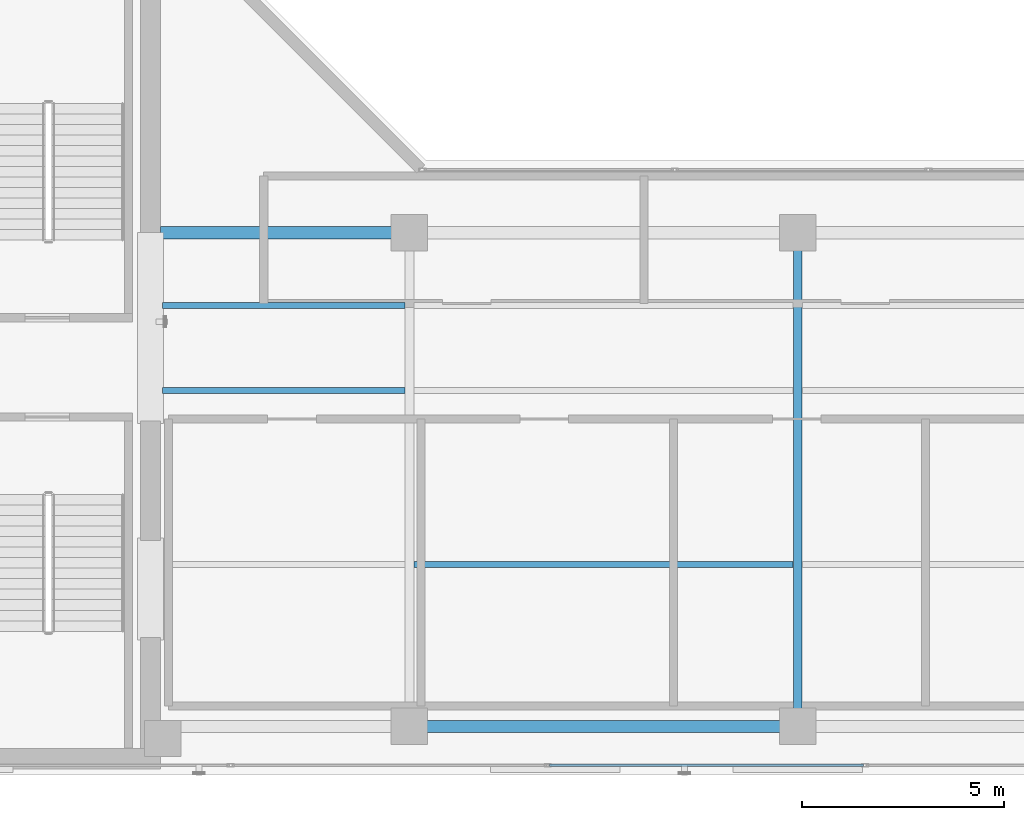
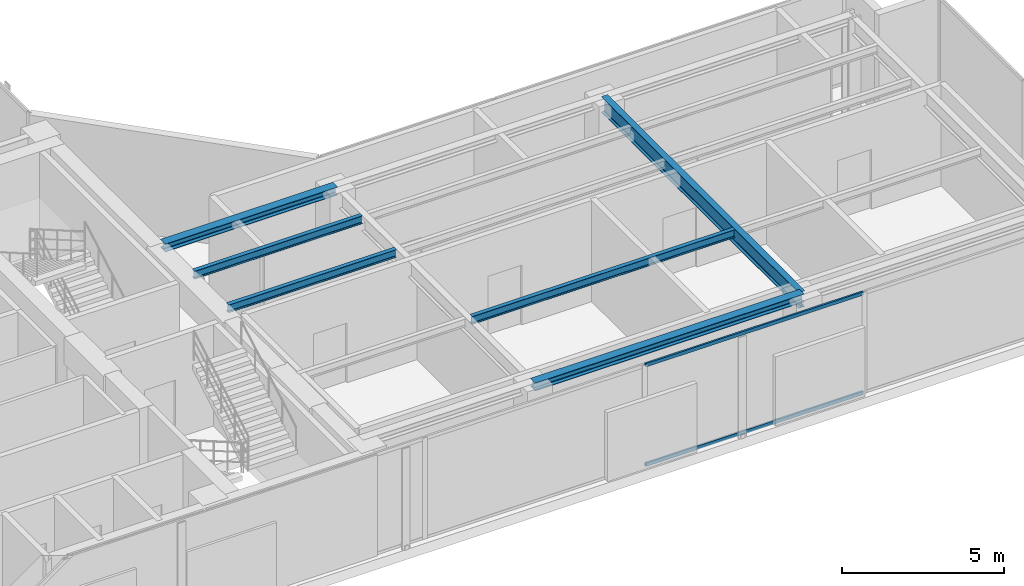
# One storey, part 6 of 24: 6 beams, 2 members, 1 element without a shape of its own.
"""IFC4 building model written with IfcOpenShell, lengths in metres."""

from ifc_helpers import new_model, si_unit, direction, frame, origin, origin_with_axes, origin_2d, place, context, subcontext, project, spatial, hollow_rectangle, i_section, extrude, source, transform, mapped, material, layer, layer_set, material_profile, profile_set, type_object, element, aggregate, save


model = new_model("IFC4")

# Units and contexts
model_context = context("Model", 3, precision=1e-05, world=origin(), true_north=direction((0.0, 1.0)))
body_context = subcontext(model_context, "Body", "Model", "MODEL_VIEW")
ifc_project = project(units=[si_unit("LENGTHUNIT", "METRE"), si_unit("AREAUNIT", "SQUARE_METRE"), si_unit("VOLUMEUNIT", "CUBIC_METRE"), si_unit("PLANEANGLEUNIT", "RADIAN"), si_unit("MASSUNIT", "GRAM", prefix="KILO")], contexts=[model_context])

# Site, building, storey
site_placement = place(None, origin())
site = spatial("IfcSite", under=ifc_project, at=site_placement, CompositionType="ELEMENT")
building_placement = place(site_placement, origin())
building = spatial("IfcBuilding", under=site, at=building_placement, Name="Kolvaren Waterfront Exchange", CompositionType="ELEMENT")
storey_placement = place(building_placement, frame((0.0, 0.0, 356.199951171875)))
storey = spatial("IfcBuildingStorey", under=building, at=storey_placement, Name="L91", CompositionType="ELEMENT", Elevation=356.199951171875)

# Beams
ifc_material_1 = material(Name="Steel S355", Category="steel")
ifc_material_profile_1 = material_profile(ifc_material_1, i_section(OverallWidth=0.300048828125, OverallDepth=0.300048828125, WebThickness=0.010986328125, FlangeThickness=0.01904296875, FilletRadius=0.027099609375, at=origin_2d()), Name="HEB300")
ifc_profile_set_1 = profile_set([ifc_material_profile_1], Name="Steel S355")
beam_type_1 = type_object("IfcBeamType", Name="STR-BM-HEB300", PredefinedType="SPANDREL", material=ifc_profile_set_1)
beam_1_placement = place(storey_placement, frame((27.199951171875, 5.199951171875, 3.670166015625), z_axis=(1.0, 0.0, 0.0), x_axis=(0.0, 1.0, 0.0)))
element("IfcBeam", 1, at=beam_1_placement, inside=storey, type_object=beam_type_1, Name="L91 east-arm spandrel S2", PredefinedType="SPANDREL", context=body_context, shape_type="SweptSolid", body=[
    extrude(i_section(OverallWidth=0.300048828125, OverallDepth=0.300048828125, WebThickness=0.010986328125, FlangeThickness=0.01904296875, FilletRadius=0.027099609375, at=origin_2d()), origin(), (0.0, 0.0, 1.0), 9.60009765625),
])
beam_2_placement = place(storey_placement, frame((21.050048828125, 17.39990234375, 3.670166015625), z_axis=(1.0, 0.0, 0.0), x_axis=(0.0, 1.0, 0.0)))
element("IfcBeam", 2, at=beam_2_placement, inside=storey, type_object=beam_type_1, Name="L91 east-arm spandrel N1", PredefinedType="SPANDREL", context=body_context, shape_type="SweptSolid", body=[
    extrude(i_section(OverallWidth=0.300048828125, OverallDepth=0.300048828125, WebThickness=0.010986328125, FlangeThickness=0.01904296875, FilletRadius=0.027099609375, at=origin_2d()), origin(), (0.0, 0.0, 1.0), 6.14990234375),
])
ifc_material_profile_2 = material_profile(ifc_material_1, i_section(OverallWidth=0.14990234375, OverallDepth=0.300048828125, WebThickness=0.007080078125, FlangeThickness=0.0107421875, FilletRadius=0.014892578125, at=origin_2d()), Name="IPE300")
ifc_profile_set_2 = profile_set([ifc_material_profile_2], Name="Steel S355")
beam_type_2 = type_object("IfcBeamType", Name="STR-BM-IPE300", PredefinedType="JOIST", material=ifc_profile_set_2)
for number, where, z_axis, x_axis, name in (
    (3, (21.10009765625, 13.5, 3.670166015625), (1.0, 0.0, 0.0), (0.0, 1.0, 0.0), "L91 east-arm composite joist 1A"),
    (4, (21.10009765625, 15.60009765625, 3.670166015625), (1.0, 0.0, 0.0), (0.0, 1.0, 0.0), "L91 east-arm composite joist 1C"),
):
    element("IfcBeam", number, at=place(storey_placement, frame(where, z_axis=z_axis, x_axis=x_axis)), inside=storey, type_object=beam_type_2, Name=name, PredefinedType="JOIST", context=body_context, shape_type="SweptSolid", body=[
        extrude(i_section(OverallWidth=0.14990234375, OverallDepth=0.300048828125, WebThickness=0.007080078125, FlangeThickness=0.0107421875, FilletRadius=0.014892578125, at=origin_2d()), origin(), (0.0, 0.0, 1.0), 5.98779296875),
    ])
beam_3_placement = place(storey_placement, frame((27.31201171875, 9.199951171875, 3.670166015625), z_axis=(1.0, 0.0, 0.0), x_axis=(0.0, 1.0, 0.0)))
element("IfcBeam", 5, at=beam_3_placement, inside=storey, type_object=beam_type_2, Name="L91 east-arm composite joist 2B", PredefinedType="JOIST", context=body_context, shape_type="SweptSolid", body=[
    extrude(i_section(OverallWidth=0.14990234375, OverallDepth=0.300048828125, WebThickness=0.007080078125, FlangeThickness=0.0107421875, FilletRadius=0.014892578125, at=origin_2d()), origin(), (0.0, 0.0, 1.0), 9.3759765625),
])
ifc_material_profile_3 = material_profile(ifc_material_1, i_section(OverallWidth=0.219970703125, OverallDepth=0.60009765625, WebThickness=0.011962890625, FlangeThickness=0.01904296875, FilletRadius=0.02392578125, at=origin_2d()), Name="IPE600")
ifc_profile_set_3 = profile_set([ifc_material_profile_3], Name="Steel S355")
beam_type_3 = type_object("IfcBeamType", Name="STR-BM-IPE600", PredefinedType="BEAM", material=ifc_profile_set_3)
beam_4_placement = place(storey_placement, frame((36.800048828125, 5.199951171875, 3.52001953125), z_axis=(0.0, 1.0, 0.0), x_axis=(-1.0, 0.0, 0.0)))
element("IfcBeam", 6, at=beam_4_placement, inside=storey, type_object=beam_type_3, Name="L91 east-arm transverse girder X36", PredefinedType="BEAM", context=body_context, shape_type="SweptSolid", body=[
    extrude(i_section(OverallWidth=0.219970703125, OverallDepth=0.60009765625, WebThickness=0.011962890625, FlangeThickness=0.01904296875, FilletRadius=0.02392578125, at=origin_2d()), origin(), (0.0, 0.0, 1.0), 12.199951171875),
])

# Curtain wall, members
ifc_material_2 = material(Name="Anodised dark bronze spandrel aluminium", Category="aluminium")
ifc_layer = layer(ifc_material_2, 0.219970703125, Name="Anodised dark bronze spandrel aluminium")
ifc_layer_set = layer_set([ifc_layer], Name="Anodised dark bronze spandrel aluminium")
curtain_wall_type = type_object("IfcCurtainWallType", Name="ARC-CW-SYS6", PredefinedType="USERDEFINED", material=ifc_layer_set)
curtain_wall_placement = place(storey_placement, origin())
curtain_wall = element("IfcCurtainWall", 7, at=curtain_wall_placement, inside=storey, type_object=curtain_wall_type, Name="L91 stick curtain wall CW6 (CW-L91-S)", ObjectType="STICK CURTAIN WALL", PredefinedType="USERDEFINED")
ifc_material_3 = material(Name="Anodised bronze aluminium 6063-T6", Category="aluminium")
ifc_material_profile_4 = material_profile(ifc_material_3, hollow_rectangle(XDim=0.06494140625, YDim=0.1298828125, WallThickness=0.00390625, at=origin_2d()), Name="ALU-TRN-130x65x4")
ifc_profile_set_4 = profile_set([ifc_material_profile_4], Name="Anodised bronze aluminium 6063-T6")
member_type = type_object("IfcMemberType", Name="ARC-CWT-130", PredefinedType="USERDEFINED", material=ifc_profile_set_4)
shared_shape = source(origin_with_axes(), body_context, "Body", "SweptSolid", [
    extrude(hollow_rectangle(XDim=0.06494140625, YDim=0.1298828125, WallThickness=0.00390625, at=origin_2d()), origin(), (0.0, 0.0, 1.0), 7.76513671875),
])
member_1_placement = place(storey_placement, frame((30.657470703125, 4.239990234375, 0.032470703125), z_axis=(1.0, 0.0, 0.0), x_axis=(0.0, 1.0, 0.0)))
member_1 = element("IfcMember", 8, at=member_1_placement, type_object=member_type, Name="CW6 transom 4.1", ObjectType="TRANSOM", PredefinedType="USERDEFINED", context=body_context, shape_type="MappedRepresentation", body=[
    mapped(shared_shape, transform((0.0, 0.0, 0.0), x_axis=(1.0, 0.0, 0.0), y_axis=(0.0, 1.0, 0.0), z_axis=(0.0, 0.0, 1.0), scale=1.0)),
])
member_2_placement = place(storey_placement, frame((30.657470703125, 4.239990234375, 3.78759765625), z_axis=(1.0, 0.0, 0.0), x_axis=(0.0, 1.0, 0.0)))
member_2 = element("IfcMember", 9, at=member_2_placement, type_object=member_type, Name="CW6 transom 4.2", ObjectType="TRANSOM", PredefinedType="USERDEFINED", context=body_context, shape_type="MappedRepresentation", body=[
    mapped(shared_shape, transform((0.0, 0.0, 0.0), x_axis=(1.0, 0.0, 0.0), y_axis=(0.0, 1.0, 0.0), z_axis=(0.0, 0.0, 1.0), scale=1.0)),
])
aggregate(curtain_wall, [member_1, member_2])

save(model, "model.ifc")
